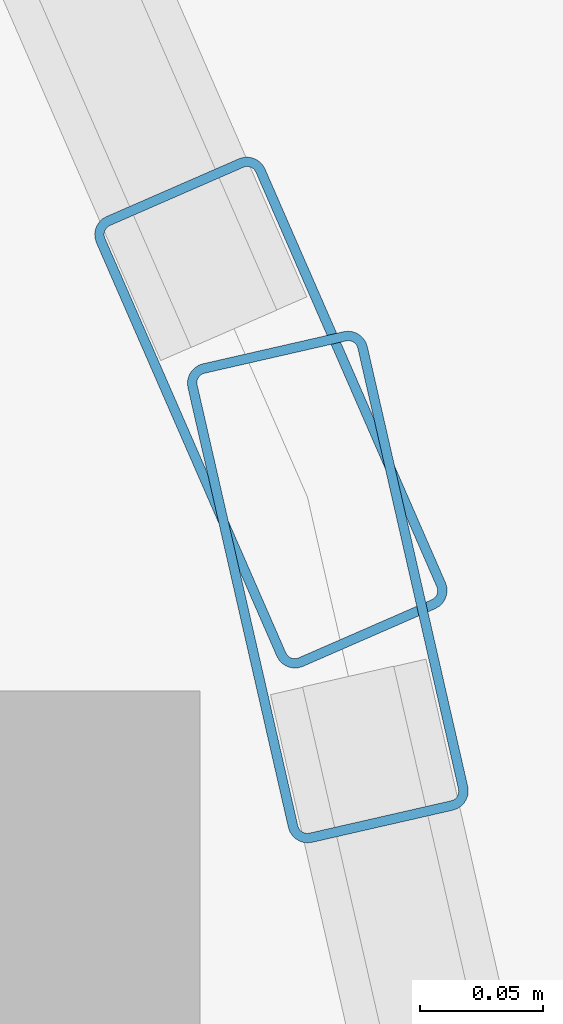
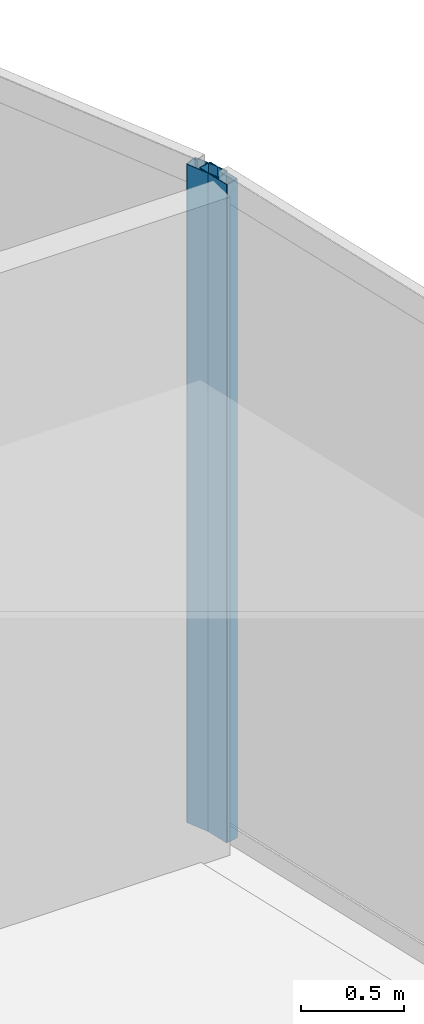
# One storey, part 22 of 36: 2 members, 2 elements without a shape of their own.
"""IFC4 building model written with IfcOpenShell, lengths in metres."""

from ifc_helpers import new_model, si_unit, direction, frame, origin, origin_2d, place, context, subcontext, project, spatial, hollow_rectangle, extrude, material, layer, layer_set, material_profile, profile_set, type_object, element, aggregate, save


model = new_model("IFC4")

# Units and contexts
model_context = context("Model", 3, precision=1e-05, world=origin(), true_north=direction((0.0, 1.0)))
body_context = subcontext(model_context, "Body", "Model", "MODEL_VIEW")
ifc_project = project(units=[si_unit("LENGTHUNIT", "METRE"), si_unit("AREAUNIT", "SQUARE_METRE"), si_unit("VOLUMEUNIT", "CUBIC_METRE"), si_unit("PLANEANGLEUNIT", "RADIAN"), si_unit("MASSUNIT", "GRAM", prefix="KILO")], contexts=[model_context])

# Site, building, storey
site_placement = place(None, origin())
site = spatial("IfcSite", under=ifc_project, at=site_placement, CompositionType="ELEMENT")
building_placement = place(site_placement, origin())
building = spatial("IfcBuilding", under=site, at=building_placement, Name="Qorvath Tower", CompositionType="ELEMENT")
storey_placement = place(building_placement, frame((0.0, 0.0, 272.39990234375)))
storey = spatial("IfcBuildingStorey", under=building, at=storey_placement, Name="L63", CompositionType="ELEMENT", Elevation=272.39990234375)

# Curtain wall, member
ifc_material_1 = material(Name="Anodised aluminium and triple low-E glass", Category="aluminium")
ifc_layer = layer(ifc_material_1, 0.179931640625)
ifc_layer_set = layer_set([ifc_layer], Name="CW-SYS-4")
curtain_wall_type = type_object("IfcCurtainWallType", Name="CW-SYS-4", PredefinedType="NOTDEFINED", material=ifc_layer_set)
curtain_wall_1_placement = place(storey_placement, origin())
curtain_wall_1 = element("IfcCurtainWall", 1, at=curtain_wall_1_placement, inside=storey, type_object=curtain_wall_type, Name="Curtain Wall CW-4 CW-T-L63-11.1", PredefinedType="NOTDEFINED")
ifc_material_2 = material(Name="Anodised aluminium 6063-T6", Category="aluminium")
ifc_material_profile = material_profile(ifc_material_2, hollow_rectangle(XDim=0.074951171875, YDim=0.199951171875, WallThickness=0.00390625, InnerFilletRadius=0.00390625, OuterFilletRadius=0.008056640625, at=origin_2d()), Name="CWM 200x75")
ifc_profile_set = profile_set([ifc_material_profile], Name="Anodised aluminium 6063-T6")
member_type = type_object("IfcMemberType", Name="CWM-200", PredefinedType="MULLION", material=ifc_profile_set)
member_1_placement = place(storey_placement, frame((-3.2080078125, 9.031005859375, 0.0), z_axis=(0.0, 0.0, 1.0), x_axis=(-0.974911683446, -0.222592024744, 0.0)))
member_1 = element("IfcMember", 2, at=member_1_placement, type_object=member_type, Name="CW-4 mullion 2", PredefinedType="MULLION", context=body_context, shape_type="SweptSolid", body=[
    extrude(hollow_rectangle(XDim=0.074951171875, YDim=0.199951171875, WallThickness=0.00390625, InnerFilletRadius=0.00390625, OuterFilletRadius=0.008056640625, at=origin_2d()), origin(), (0.0, 0.0, 1.0), 3.91015625),
])
aggregate(curtain_wall_1, [member_1])

curtain_wall_2_placement = place(storey_placement, origin())
curtain_wall_2 = element("IfcCurtainWall", 3, at=curtain_wall_2_placement, inside=storey, type_object=curtain_wall_type, Name="Curtain Wall CW-4 CW-T-L63-12.1", PredefinedType="NOTDEFINED")
member_2_placement = place(storey_placement, frame((-3.231201171875, 9.10205078125, 0.0), z_axis=(0.0, 0.0, 1.0), x_axis=(-0.91655883173, -0.399899872441, 0.0)))
member_2 = element("IfcMember", 4, at=member_2_placement, type_object=member_type, Name="CW-4 mullion 1", PredefinedType="MULLION", context=body_context, shape_type="SweptSolid", body=[
    extrude(hollow_rectangle(XDim=0.074951171875, YDim=0.199951171875, WallThickness=0.00390625, InnerFilletRadius=0.00390625, OuterFilletRadius=0.008056640625, at=origin_2d()), origin(), (0.0, 0.0, 1.0), 3.91015625),
])
aggregate(curtain_wall_2, [member_2])

save(model, "model.ifc")
